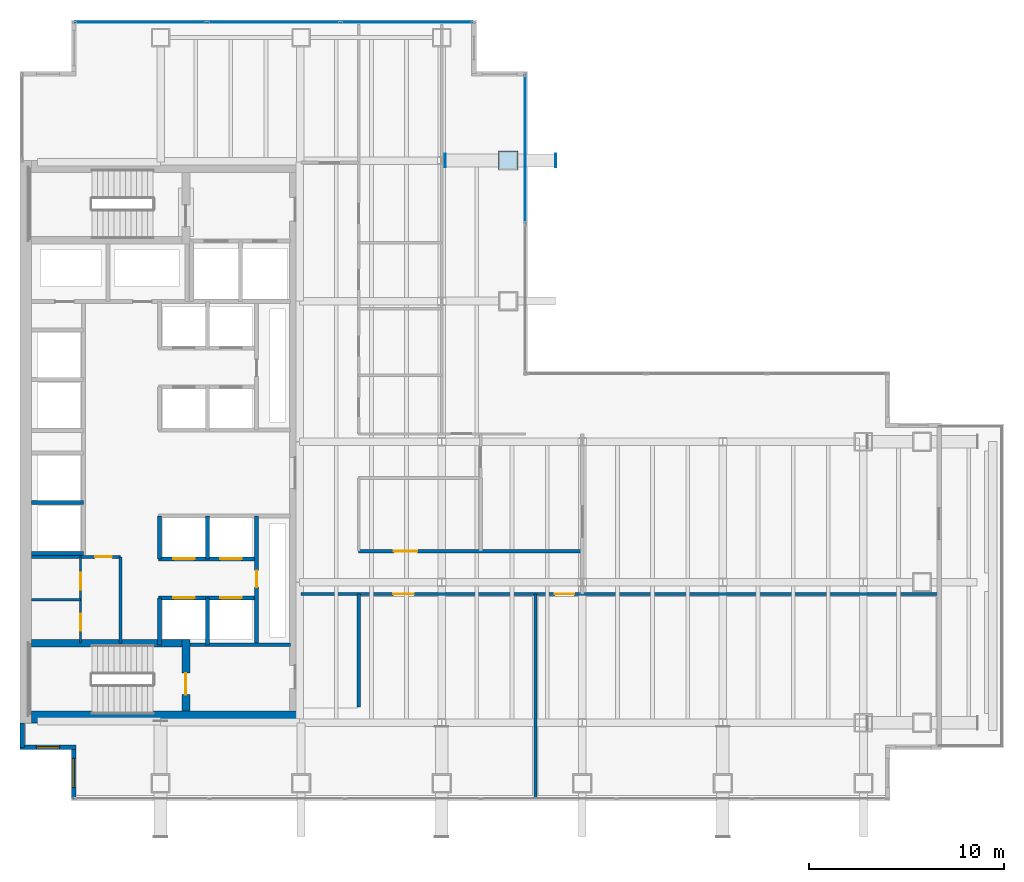
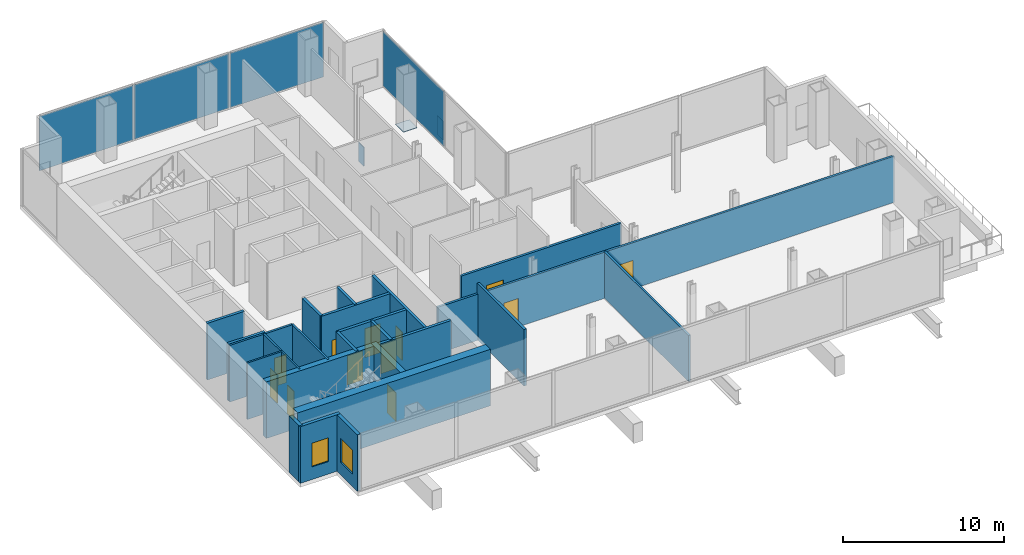
# One storey, part 13 of 16: 24 walls, 12 doors, 7 plates, 2 windows, 14 openings, 2 elements without a shape of their own.
"""IFC4 building model written with IfcOpenShell, lengths in metres."""

from ifc_helpers import new_model, si_unit, direction, frame, frame_2d, origin, origin_2d, place, context, subcontext, project, spatial, rectangle, extrude, material, layer, layer_set, type_object, element, fill, aggregate, save


model = new_model("IFC4")

# Units and contexts
model_context = context("Model", 3, precision=1e-05, world=origin(), true_north=direction((0.0, 1.0)))
body_context = subcontext(model_context, "Body", "Model", "MODEL_VIEW")
ifc_project = project(units=[si_unit("LENGTHUNIT", "METRE"), si_unit("AREAUNIT", "SQUARE_METRE"), si_unit("VOLUMEUNIT", "CUBIC_METRE"), si_unit("PLANEANGLEUNIT", "RADIAN"), si_unit("MASSUNIT", "GRAM", prefix="KILO")], contexts=[model_context])

# Site, building, storey
site_placement = place(None, origin())
site = spatial("IfcSite", under=ifc_project, at=site_placement, CompositionType="ELEMENT")
building_placement = place(site_placement, origin())
building = spatial("IfcBuilding", under=site, at=building_placement, Name="Cobrela Telecom Tower", CompositionType="ELEMENT")
storey_placement = place(building_placement, frame((0.0, 0.0, 97.64990234375)))
storey = spatial("IfcBuildingStorey", under=building, at=storey_placement, Name="L24", CompositionType="ELEMENT", Elevation=97.64990234375)

# Curtain wall, plates
ifc_material_1 = material(Name="Anodized Bronze Aluminium 6063-T6", Category="aluminium")
curtain_wall_type = type_object("IfcCurtainWallType", Name="CW-SYS-SKY", PredefinedType="USERDEFINED", material=ifc_material_1)
curtain_wall_1_placement = place(storey_placement, origin())
curtain_wall_1 = element("IfcCurtainWall", 1, at=curtain_wall_1_placement, inside=storey, type_object=curtain_wall_type, Name="L24 Unitised Bronze Curtain Wall 07", ObjectType="UNITISED CURTAIN WALL", PredefinedType="USERDEFINED")
ifc_material_2 = material(Name="Solar-Control Bronze Low-E Glass", Category="glass")
ifc_layer_1 = layer(ifc_material_2, 0.0400390625)
ifc_layer_set_1 = layer_set([ifc_layer_1], Name="Solar-Control Bronze Low-E Glass")
plate_type_1 = type_object("IfcPlateType", Name="CW-SYS-SKY-PNL", PredefinedType="CURTAIN_PANEL", material=ifc_layer_set_1)
plate_1_placement = place(storey_placement, frame((6.186767578125, 43.080078125, 0.0751953125), z_axis=(0.0, 0.0, 1.0), x_axis=(1.0, 0.0, 0.0)))
plate_1 = element("IfcPlate", 2, at=plate_1_placement, type_object=plate_type_1, Name="CW-SKY panel 1.1", PredefinedType="CURTAIN_PANEL", context=body_context, shape_type="SweptSolid", body=[
    extrude(rectangle(XDim=6.71337890625, YDim=0.0400390625, at=origin_2d()), origin(), (0.0, 0.0, 1.0), 4.1298828125),
])
plate_2_placement = place(storey_placement, frame((13.0, 43.080078125, 0.0751953125), z_axis=(0.0, 0.0, 1.0), x_axis=(1.0, 0.0, 0.0)))
plate_2 = element("IfcPlate", 3, at=plate_2_placement, type_object=plate_type_1, Name="CW-SKY panel 2.1", PredefinedType="CURTAIN_PANEL", context=body_context, shape_type="SweptSolid", body=[
    extrude(rectangle(XDim=6.75341796875, YDim=0.0400390625, at=origin_2d()), origin(), (0.0, 0.0, 1.0), 4.1298828125),
])
plate_3_placement = place(storey_placement, frame((19.813232421875, 43.080078125, 0.0751953125), z_axis=(0.0, 0.0, 1.0), x_axis=(1.0, 0.0, 0.0)))
plate_3 = element("IfcPlate", 4, at=plate_3_placement, type_object=plate_type_1, Name="CW-SKY panel 3.1", PredefinedType="CURTAIN_PANEL", context=body_context, shape_type="SweptSolid", body=[
    extrude(rectangle(XDim=6.71337890625, YDim=0.0400390625, at=origin_2d()), origin(), (0.0, 0.0, 1.0), 4.1298828125),
])
aggregate(curtain_wall_1, [plate_1, plate_2, plate_3])

# Curtain wall, plate
curtain_wall_2_placement = place(storey_placement, origin())
curtain_wall_2 = element("IfcCurtainWall", 5, at=curtain_wall_2_placement, inside=storey, type_object=curtain_wall_type, Name="L24 Unitised Bronze Curtain Wall 10", ObjectType="UNITISED CURTAIN WALL", PredefinedType="USERDEFINED")
plate_4_placement = place(storey_placement, frame((25.8798828125, 36.58740234375, 0.0751953125), z_axis=(0.0, 0.0, 1.0), x_axis=(0.0, -1.0, 0.0)))
plate_4 = element("IfcPlate", 6, at=plate_4_placement, type_object=plate_type_1, Name="CW-SKY panel 1.1", PredefinedType="CURTAIN_PANEL", context=body_context, shape_type="SweptSolid", body=[
    extrude(rectangle(XDim=7.56494140625, YDim=0.0400390625, at=origin_2d()), origin(), (0.0, 0.0, 1.0), 4.1298828125),
])
aggregate(curtain_wall_2, [plate_4])

# Plates
ifc_material_3 = material(Name="Steel ASTM A572 Grade 50", Category="steel")
ifc_layer_2 = layer(ifc_material_3, 0.044921875)
ifc_layer_set_2 = layer_set([ifc_layer_2], Name="Steel ASTM A572 Grade 50")
plate_type_2 = type_object("IfcPlateType", Name="PLT-END-CAP-45", PredefinedType="SHEET", material=ifc_layer_set_2)
plate_5_placement = place(storey_placement, frame((25.0, 36.0, -0.04248046875), z_axis=(0.0, 0.0, 1.0), x_axis=(1.0, 0.0, 0.0)))
element("IfcPlate", 7, at=plate_5_placement, inside=storey, type_object=plate_type_2, Name="L24 Stepped Column Base Cap Plate 63", PredefinedType="SHEET", context=body_context, shape_type="SweptSolid", body=[
    extrude(rectangle(XDim=0.989990234375, YDim=0.989990234375, at=origin_2d()), origin(), (0.0, 0.0, 1.0), 0.044921875),
])
ifc_layer_3 = layer(ifc_material_3, 0.0439453125)
ifc_layer_set_3 = layer_set([ifc_layer_3], Name="Steel ASTM A572 Grade 50")
plate_type_3 = type_object("IfcPlateType", Name="PLT-NODE-ND2", PredefinedType="USERDEFINED", material=ifc_layer_set_3)
for number, where, z_axis, x_axis, name in (
    (8, (21.78955078125, 36.0, -1.719970703125), (0.0, 0.0, 1.0), (1.0, 0.0, 0.0), "Steel node plate PLT-BM-L24-BM-TRG-1400-X-360-218-C0"),
    (9, (27.43994140625, 36.0, -1.719970703125), (0.0, 0.0, 1.0), (1.0, 0.0, 0.0), "Steel node plate PLT-BM-L24-BM-TRG-1400-X-360-218-C1"),
):
    element("IfcPlate", number, at=place(storey_placement, frame(where, z_axis=z_axis, x_axis=x_axis)), inside=storey, type_object=plate_type_3, Name=name, ObjectType="GUSSET PLATE", PredefinedType="USERDEFINED", context=body_context, shape_type="SweptSolid", body=[
        extrude(rectangle(XDim=0.044921875, YDim=0.68994140625, at=origin_2d()), origin(), (0.0, 0.0, 1.0), 1.43994140625),
    ])

# Wall
ifc_material_4 = material(Name="Concrete C50/60", Category="concrete")
ifc_layer_4 = layer(ifc_material_4, 0.60009765625)
ifc_layer_set_4 = layer_set([ifc_layer_4], Name="Concrete C50/60")
wall_type_1 = type_object("IfcWallType", Name="WALL-CORE-C50-600", PredefinedType="SHEAR", material=ifc_layer_set_4)
wall_1_placement = place(storey_placement, frame((0.60009765625, 7.5, 0.0), z_axis=(0.0, 0.0, 1.0), x_axis=(1.0, 0.0, 0.0)))
element("IfcWall", 10, at=wall_1_placement, inside=storey, type_object=wall_type_1, Name="L24 South Core Shear Wall", PredefinedType="SHEAR", context=body_context, shape_type="SweptSolid", body=[
    extrude(rectangle(XDim=13.7998046875, YDim=0.60009765625, at=frame_2d((6.89990234375, 0.0))), origin(), (0.0, 0.0, 1.0), 4.280029296875),
])

# Wall, opening, window
ifc_material_5 = material(Name="Concrete C40/50", Category="concrete")
ifc_layer_5 = layer(ifc_material_5, 0.239990234375)
ifc_layer_set_5 = layer_set([ifc_layer_5], Name="Concrete C40/50")
wall_type_2 = type_object("IfcWallType", Name="WALL-EXT-300", PredefinedType="STANDARD", material=ifc_layer_set_5)
wall_2_placement = place(storey_placement, frame((2.75, 3.320068359375, 0.0), z_axis=(0.0, 0.0, 1.0), x_axis=(0.0, 1.0, 0.0)))
wall_2 = element("IfcWall", 11, at=wall_2_placement, inside=storey, type_object=wall_type_2, Name="L24 Insulated Facade Wall 01", PredefinedType="STANDARD", context=body_context, shape_type="SweptSolid", body=[
    extrude(rectangle(XDim=2.6298828125, YDim=0.239990234375, at=frame_2d((1.31494140625, 0.0))), origin(), (0.0, 0.0, 1.0), 4.280029296875),
])
opening_1_placement = place(wall_2_placement, frame((0.56494140625, 0.0, 0.949951171875)))
opening_1 = element("IfcOpeningElement", 12, at=opening_1_placement, cuts=wall_2, Name="Opening WN-45", PredefinedType="OPENING", context=body_context, shape_type="SweptSolid", body=[
    extrude(rectangle(XDim=1.5, YDim=1.800048828125, at=frame_2d((0.75, 0.89990234375))), frame((0.0, 0.1318359375, 0.0), z_axis=(0.0, -1.0, 0.0), x_axis=(1.0, 0.0, 0.0)), (0.0, 0.0, 1.0), 0.263916015625),
])
window_type_1 = type_object("IfcWindowType", Name="WIN-MOD-1500", PartitioningType="SINGLE_PANEL", PredefinedType="WINDOW", material=ifc_material_2)
window_1_placement = place(opening_1_placement, origin())
window_1 = element("IfcWindow", 13, at=window_1_placement, inside=storey, type_object=window_type_1, Name="L24 Corner Notch Facade Window 110", OverallHeight=1.800048828125, OverallWidth=1.5, PartitioningType="SINGLE_PANEL", PredefinedType="WINDOW", context=body_context, shape_type="SweptSolid", body=[
    extrude(rectangle(XDim=1.5, YDim=1.800048828125, at=frame_2d((0.75, 0.89990234375))), frame((0.0, 0.030029296875, 0.0), z_axis=(0.0, -1.0, 0.0), x_axis=(1.0, 0.0, 0.0)), (0.0, 0.0, 1.0), 0.06005859375),
])
fill(opening_1, window_1)

wall_3_placement = place(storey_placement, frame((2.8701171875, 5.949951171875, 0.0), z_axis=(0.0, 0.0, 1.0), x_axis=(-1.0, 0.0, 0.0)))
wall_3 = element("IfcWall", 14, at=wall_3_placement, inside=storey, type_object=wall_type_2, Name="L24 Insulated Facade Wall 02", PredefinedType="STANDARD", context=body_context, shape_type="SweptSolid", body=[
    extrude(rectangle(XDim=2.8701171875, YDim=0.239990234375, at=frame_2d((1.43505859375, 0.0))), origin(), (0.0, 0.0, 1.0), 4.280029296875),
])
opening_2_placement = place(wall_3_placement, frame((0.8349609375, 0.0, 0.949951171875)))
opening_2 = element("IfcOpeningElement", 15, at=opening_2_placement, cuts=wall_3, Name="Opening WN-19", PredefinedType="OPENING", context=body_context, shape_type="SweptSolid", body=[
    extrude(rectangle(XDim=1.199951171875, YDim=1.800048828125, at=frame_2d((0.60009765625, 0.89990234375))), frame((0.0, 0.1318359375, 0.0), z_axis=(0.0, -1.0, 0.0), x_axis=(1.0, 0.0, 0.0)), (0.0, 0.0, 1.0), 0.263916015625),
])
window_type_2 = type_object("IfcWindowType", Name="WIN-MOD-1200", PartitioningType="SINGLE_PANEL", PredefinedType="WINDOW", material=ifc_material_2)
window_2_placement = place(opening_2_placement, origin())
window_2 = element("IfcWindow", 16, at=window_2_placement, inside=storey, type_object=window_type_2, Name="L24 Corner Notch Facade Window 111", OverallHeight=1.800048828125, OverallWidth=1.199951171875, PartitioningType="SINGLE_PANEL", PredefinedType="WINDOW", context=body_context, shape_type="SweptSolid", body=[
    extrude(rectangle(XDim=1.199951171875, YDim=1.800048828125, at=frame_2d((0.60009765625, 0.89990234375))), frame((0.0, 0.030029296875, 0.0), z_axis=(0.0, -1.0, 0.0), x_axis=(1.0, 0.0, 0.0)), (0.0, 0.0, 1.0), 0.06005859375),
])
fill(opening_2, window_2)

# Walls
wall_4_placement = place(storey_placement, frame((0.1201171875, 5.949951171875, 0.0), z_axis=(0.0, 0.0, 1.0), x_axis=(0.0, 1.0, 0.0)))
element("IfcWall", 17, at=wall_4_placement, inside=storey, type_object=wall_type_2, Name="L24 Insulated Facade Wall 03", PredefinedType="STANDARD", context=body_context, shape_type="SweptSolid", body=[
    extrude(rectangle(XDim=1.25, YDim=0.239990234375, at=frame_2d((0.625, 0.0))), origin(), (0.0, 0.0, 1.0), 4.280029296875),
])
ifc_material_6 = material(Name="Fire-Rated Gypsum Plasterboard")
ifc_layer_6 = layer(ifc_material_6, 0.125)
ifc_layer_set_6 = layer_set([ifc_layer_6], Name="Fire-Rated Gypsum Plasterboard")
wall_type_3 = type_object("IfcWallType", Name="WALL-PART-125", PredefinedType="PARTITIONING", material=ifc_layer_set_6)
wall_5_placement = place(storey_placement, frame((0.60009765625, 13.5, 0.0), z_axis=(0.0, 0.0, 1.0), x_axis=(1.0, 0.0, 0.0)))
element("IfcWall", 18, at=wall_5_placement, inside=storey, type_object=wall_type_3, Name="L24 Interior Partition CW-FK3-H", PredefinedType="PARTITIONING", context=body_context, shape_type="SweptSolid", body=[
    extrude(rectangle(XDim=2.5, YDim=0.125, at=frame_2d((1.25, 0.0))), origin(), (0.0, 0.0, 1.0), 4.280029296875),
])

# Wall, openings, doors
wall_6_placement = place(storey_placement, frame((3.10009765625, 11.280029296875, 0.0), z_axis=(0.0, 0.0, 1.0), x_axis=(0.0, 1.0, 0.0)))
wall_6 = element("IfcWall", 19, at=wall_6_placement, inside=storey, type_object=wall_type_3, Name="L24 Interior Partition CW-FK3-V", PredefinedType="PARTITIONING", context=body_context, shape_type="SweptSolid", body=[
    extrude(rectangle(XDim=4.419921875, YDim=0.125, at=frame_2d((2.2099609375, 0.0))), origin(), (0.0, 0.0, 1.0), 4.280029296875),
])
opening_3_placement = place(wall_6_placement, frame((0.64990234375, 0.0, 0.0)))
opening_3 = element("IfcOpeningElement", 20, at=opening_3_placement, cuts=wall_6, Name="Opening DR-11", PredefinedType="OPENING", context=body_context, shape_type="SweptSolid", body=[
    extrude(rectangle(XDim=0.85009765625, YDim=2.14990234375, at=frame_2d((0.425048828125, 1.074951171875))), frame((0.0, 0.074462890625, 0.0), z_axis=(0.0, -1.0, 0.0), x_axis=(1.0, 0.0, 0.0)), (0.0, 0.0, 1.0), 0.14892578125),
])
opening_4_placement = place(wall_6_placement, frame((2.75, 0.0, 0.0)))
opening_4 = element("IfcOpeningElement", 21, at=opening_4_placement, cuts=wall_6, Name="Opening DR-11", PredefinedType="OPENING", context=body_context, shape_type="SweptSolid", body=[
    extrude(rectangle(XDim=0.85009765625, YDim=2.14990234375, at=frame_2d((0.425048828125, 1.074951171875))), frame((0.0, 0.074462890625, 0.0), z_axis=(0.0, -1.0, 0.0), x_axis=(1.0, 0.0, 0.0)), (0.0, 0.0, 1.0), 0.14892578125),
])
ifc_material_7 = material(Name="Solid Engineered Oak Timber", Category="wood")
door_type_1 = type_object("IfcDoorType", Name="DOOR-INT-850", OperationType="SINGLE_SWING_LEFT", PredefinedType="DOOR", material=ifc_material_7)
door_1_placement = place(opening_3_placement, origin())
door_1 = element("IfcDoor", 22, at=door_1_placement, inside=storey, type_object=door_type_1, Name="L24 Door DR-11", OperationType="SINGLE_SWING_LEFT", OverallHeight=2.14990234375, OverallWidth=0.85009765625, PredefinedType="DOOR", context=body_context, shape_type="SweptSolid", body=[
    extrude(rectangle(XDim=0.85009765625, YDim=2.14990234375, at=frame_2d((0.425048828125, 1.074951171875))), frame((0.0, 0.02490234375, 0.0), z_axis=(0.0, -1.0, 0.0), x_axis=(1.0, 0.0, 0.0)), (0.0, 0.0, 1.0), 0.050048828125),
])
fill(opening_3, door_1)
door_2_placement = place(opening_4_placement, origin())
door_2 = element("IfcDoor", 23, at=door_2_placement, inside=storey, type_object=door_type_1, Name="L24 Door DR-11", OperationType="SINGLE_SWING_RIGHT", OverallHeight=2.14990234375, OverallWidth=0.85009765625, PredefinedType="DOOR", context=body_context, shape_type="SweptSolid", body=[
    extrude(rectangle(XDim=0.85009765625, YDim=2.14990234375, at=frame_2d((0.425048828125, 1.074951171875))), frame((0.0, 0.02490234375, 0.0), z_axis=(0.0, -1.0, 0.0), x_axis=(1.0, 0.0, 0.0)), (0.0, 0.0, 1.0), 0.050048828125),
])
fill(opening_4, door_2)

# Wall
ifc_layer_7 = layer(ifc_material_6, 0.135009765625)
ifc_layer_set_7 = layer_set([ifc_layer_7], Name="Fire-Rated Gypsum Plasterboard")
wall_type_4 = type_object("IfcWallType", Name="WALL-PART-135", PredefinedType="PARTITIONING", material=ifc_layer_set_7)
wall_7_placement = place(storey_placement, frame((5.14990234375, 11.280029296875, 0.0), z_axis=(0.0, 0.0, 1.0), x_axis=(0.0, 1.0, 0.0)))
element("IfcWall", 24, at=wall_7_placement, inside=storey, type_object=wall_type_4, Name="L24 Interior Partition CW-FLEX-E", PredefinedType="PARTITIONING", context=body_context, shape_type="SweptSolid", body=[
    extrude(rectangle(XDim=4.419921875, YDim=0.135009765625, at=frame_2d((2.2099609375, 0.0))), origin(), (0.0, 0.0, 1.0), 4.280029296875),
])

# Wall, opening, door
ifc_layer_8 = layer(ifc_material_6, 0.14990234375)
ifc_layer_set_8 = layer_set([ifc_layer_8], Name="Fire-Rated Gypsum Plasterboard")
wall_type_5 = type_object("IfcWallType", Name="WALL-PART-150", PredefinedType="PARTITIONING", material=ifc_layer_set_8)
wall_8_placement = place(storey_placement, frame((0.60009765625, 15.699951171875, 0.0), z_axis=(0.0, 0.0, 1.0), x_axis=(1.0, 0.0, 0.0)))
wall_8 = element("IfcWall", 25, at=wall_8_placement, inside=storey, type_object=wall_type_5, Name="L24 Interior Partition CW-FLEX-N", PredefinedType="PARTITIONING", context=body_context, shape_type="SweptSolid", body=[
    extrude(rectangle(XDim=4.5498046875, YDim=0.14990234375, at=frame_2d((2.27490234375, 0.0))), origin(), (0.0, 0.0, 1.0), 4.280029296875),
])
opening_5_placement = place(wall_8_placement, frame((3.25, 0.0, 0.0)))
opening_5 = element("IfcOpeningElement", 26, at=opening_5_placement, cuts=wall_8, Name="Opening DR-11", PredefinedType="OPENING", context=body_context, shape_type="SweptSolid", body=[
    extrude(rectangle(XDim=0.85009765625, YDim=2.14990234375, at=frame_2d((0.425048828125, 1.074951171875))), frame((0.0, 0.0869140625, 0.0), z_axis=(0.0, -1.0, 0.0), x_axis=(1.0, 0.0, 0.0)), (0.0, 0.0, 1.0), 0.173828125),
])
door_3_placement = place(opening_5_placement, origin())
door_3 = element("IfcDoor", 27, at=door_3_placement, inside=storey, type_object=door_type_1, Name="L24 Door DR-11", OperationType="SINGLE_SWING_LEFT", OverallHeight=2.14990234375, OverallWidth=0.85009765625, PredefinedType="DOOR", context=body_context, shape_type="SweptSolid", body=[
    extrude(rectangle(XDim=0.85009765625, YDim=2.14990234375, at=frame_2d((0.425048828125, 1.074951171875))), frame((0.0, 0.02490234375, 0.0), z_axis=(0.0, -1.0, 0.0), x_axis=(1.0, 0.0, 0.0)), (0.0, 0.0, 1.0), 0.050048828125),
])
fill(opening_5, door_3)

# Wall
wall_9_placement = place(storey_placement, frame((26.39990234375, 3.320068359375, 0.0), z_axis=(0.0, 0.0, 1.0), x_axis=(0.0, 1.0, 0.0)))
element("IfcWall", 28, at=wall_9_placement, inside=storey, type_object=wall_type_5, Name="L24 Interior Partition W-SKY-V2", PredefinedType="PARTITIONING", context=body_context, shape_type="SweptSolid", body=[
    extrude(rectangle(XDim=10.47998046875, YDim=0.14990234375, at=frame_2d((5.239990234375, 0.0))), origin(), (0.0, 0.0, 1.0), 3.4931640625),
])

# Wall, openings, doors
ifc_layer_9 = layer(ifc_material_6, 0.159912109375)
ifc_layer_set_9 = layer_set([ifc_layer_9], Name="Fire-Rated Gypsum Plasterboard")
wall_type_6 = type_object("IfcWallType", Name="WALL-PART-160", PredefinedType="PARTITIONING", material=ifc_layer_set_9)
wall_10_placement = place(storey_placement, frame((14.39990234375, 13.800048828125, 0.0), z_axis=(0.0, 0.0, 1.0), x_axis=(1.0, 0.0, 0.0)))
wall_10 = element("IfcWall", 29, at=wall_10_placement, inside=storey, type_object=wall_type_6, Name="L24 Interior Partition W-SKY-H2", PredefinedType="PARTITIONING", context=body_context, shape_type="SweptSolid", body=[
    extrude(rectangle(XDim=32.68017578125, YDim=0.159912109375, at=frame_2d((16.340087890625, 0.0))), origin(), (0.0, 0.0, 1.0), 3.4931640625),
])
opening_6_placement = place(wall_10_placement, frame((4.719970703125, 0.0, 0.0)))
opening_6 = element("IfcOpeningElement", 30, at=opening_6_placement, cuts=wall_10, Name="Opening DR-29", PredefinedType="OPENING", context=body_context, shape_type="SweptSolid", body=[
    extrude(rectangle(XDim=1.050048828125, YDim=2.14990234375, at=frame_2d((0.52490234375, 1.074951171875))), frame((0.0, 0.091796875, 0.0), z_axis=(0.0, -1.0, 0.0), x_axis=(1.0, 0.0, 0.0)), (0.0, 0.0, 1.0), 0.183837890625),
])
opening_7_placement = place(wall_10_placement, frame((13.0, 0.0, 0.0)))
opening_7 = element("IfcOpeningElement", 31, at=opening_7_placement, cuts=wall_10, Name="Opening DR-17", PredefinedType="OPENING", context=body_context, shape_type="SweptSolid", body=[
    extrude(rectangle(XDim=0.97998046875, YDim=2.14990234375, at=frame_2d((0.489990234375, 1.074951171875))), frame((0.0, 0.091796875, 0.0), z_axis=(0.0, -1.0, 0.0), x_axis=(1.0, 0.0, 0.0)), (0.0, 0.0, 1.0), 0.183837890625),
])
door_type_2 = type_object("IfcDoorType", Name="DOOR-INT-1050", OperationType="SINGLE_SWING_LEFT", PredefinedType="DOOR", material=ifc_material_7)
door_4_placement = place(opening_6_placement, origin())
door_4 = element("IfcDoor", 32, at=door_4_placement, inside=storey, type_object=door_type_2, Name="L24 Door DR-29", OperationType="SINGLE_SWING_RIGHT", OverallHeight=2.14990234375, OverallWidth=1.050048828125, PredefinedType="DOOR", context=body_context, shape_type="SweptSolid", body=[
    extrude(rectangle(XDim=1.050048828125, YDim=2.14990234375, at=frame_2d((0.52490234375, 1.074951171875))), frame((0.0, 0.02490234375, 0.0), z_axis=(0.0, -1.0, 0.0), x_axis=(1.0, 0.0, 0.0)), (0.0, 0.0, 1.0), 0.050048828125),
])
fill(opening_6, door_4)
door_type_3 = type_object("IfcDoorType", Name="DOOR-INT-980", OperationType="SINGLE_SWING_LEFT", PredefinedType="DOOR", material=ifc_material_7)
door_5_placement = place(opening_7_placement, origin())
door_5 = element("IfcDoor", 33, at=door_5_placement, inside=storey, type_object=door_type_3, Name="L24 Door DR-17", OperationType="SINGLE_SWING_LEFT", OverallHeight=2.14990234375, OverallWidth=0.97998046875, PredefinedType="DOOR", context=body_context, shape_type="SweptSolid", body=[
    extrude(rectangle(XDim=0.97998046875, YDim=2.14990234375, at=frame_2d((0.489990234375, 1.074951171875))), frame((0.0, 0.02490234375, 0.0), z_axis=(0.0, -1.0, 0.0), x_axis=(1.0, 0.0, 0.0)), (0.0, 0.0, 1.0), 0.050048828125),
])
fill(opening_7, door_5)

# Wall
ifc_layer_10 = layer(ifc_material_6, 0.175048828125)
ifc_layer_set_10 = layer_set([ifc_layer_10], Name="Fire-Rated Gypsum Plasterboard")
wall_type_7 = type_object("IfcWallType", Name="WALL-PART-175", PredefinedType="PARTITIONING", material=ifc_layer_set_10)
wall_11_placement = place(storey_placement, frame((17.35009765625, 8.0, 0.0), z_axis=(0.0, 0.0, 1.0), x_axis=(0.0, 1.0, 0.0)))
element("IfcWall", 34, at=wall_11_placement, inside=storey, type_object=wall_type_7, Name="L24 Interior Partition W-SKY-LOBE", PredefinedType="PARTITIONING", context=body_context, shape_type="SweptSolid", body=[
    extrude(rectangle(XDim=5.800048828125, YDim=0.175048828125, at=frame_2d((2.89990234375, 0.0))), origin(), (0.0, 0.0, 1.0), 4.280029296875),
])

# Wall, opening, door
wall_12_placement = place(storey_placement, frame((17.35009765625, 16.0, 0.0), z_axis=(0.0, 0.0, 1.0), x_axis=(1.0, 0.0, 0.0)))
wall_12 = element("IfcWall", 35, at=wall_12_placement, inside=storey, type_object=wall_type_7, Name="L24 Interior Partition W-SKY-LOBN", PredefinedType="PARTITIONING", context=body_context, shape_type="SweptSolid", body=[
    extrude(rectangle(XDim=11.449951171875, YDim=0.175048828125, at=frame_2d((5.72509765625, 0.0))), origin(), (0.0, 0.0, 1.0), 3.4931640625),
])
opening_8_placement = place(wall_12_placement, frame((1.800048828125, 0.0, 0.0)))
opening_8 = element("IfcOpeningElement", 36, at=opening_8_placement, cuts=wall_12, Name="Opening DR-13", PredefinedType="OPENING", context=body_context, shape_type="SweptSolid", body=[
    extrude(rectangle(XDim=1.199951171875, YDim=2.14990234375, at=frame_2d((0.60009765625, 1.074951171875))), frame((0.0, 0.099609375, 0.0), z_axis=(0.0, -1.0, 0.0), x_axis=(1.0, 0.0, 0.0)), (0.0, 0.0, 1.0), 0.198974609375),
])
door_type_4 = type_object("IfcDoorType", Name="DOOR-INT-1200", OperationType="SINGLE_SWING_LEFT", PredefinedType="DOOR", material=ifc_material_1)
door_6_placement = place(opening_8_placement, origin())
door_6 = element("IfcDoor", 37, at=door_6_placement, inside=storey, type_object=door_type_4, Name="L24 Door DR-13", OperationType="SINGLE_SWING_LEFT", OverallHeight=2.14990234375, OverallWidth=1.199951171875, PredefinedType="DOOR", context=body_context, shape_type="SweptSolid", body=[
    extrude(rectangle(XDim=1.199951171875, YDim=2.14990234375, at=frame_2d((0.60009765625, 1.074951171875))), frame((0.0, 0.02490234375, 0.0), z_axis=(0.0, -1.0, 0.0), x_axis=(1.0, 0.0, 0.0)), (0.0, 0.0, 1.0), 0.050048828125),
])
fill(opening_8, door_6)

# Walls
ifc_layer_11 = layer(ifc_material_6, 0.199951171875)
ifc_layer_set_11 = layer_set([ifc_layer_11], Name="Fire-Rated Gypsum Plasterboard")
wall_type_8 = type_object("IfcWallType", Name="WALL-SHAFT-200", PredefinedType="PARTITIONING", material=ifc_layer_set_11)
wall_13_placement = place(storey_placement, frame((8.699951171875, 11.199951171875, 0.0), z_axis=(0.0, 0.0, 1.0), x_axis=(1.0, 0.0, 0.0)))
element("IfcWall", 38, at=wall_13_placement, inside=storey, type_object=wall_type_8, Name="L24 Shaft Enclosure CW-ST2L-N", PredefinedType="PARTITIONING", context=body_context, shape_type="SweptSolid", body=[
    extrude(rectangle(XDim=5.150146484375, YDim=0.199951171875, at=frame_2d((2.5751953125, 0.0))), origin(), (0.0, 0.0, 1.0), 4.280029296875),
])
for number, where, z_axis, x_axis, name in (
    (39, (0.60009765625, 15.8798828125, 0.0), (0.0, 0.0, 1.0), (1.0, 0.0, 0.0), "L24 Shaft Enclosure CW-PLH-D9"),
    (40, (0.60009765625, 18.47998046875, 0.0), (0.0, 0.0, 1.0), (1.0, 0.0, 0.0), "L24 Shaft Enclosure CW-PLH-D10"),
):
    element("IfcWall", number, at=place(storey_placement, frame(where, z_axis=z_axis, x_axis=x_axis)), inside=storey, type_object=wall_type_8, Name=name, PredefinedType="PARTITIONING", context=body_context, shape_type="SweptSolid", body=[
        extrude(rectangle(XDim=2.64990234375, YDim=0.199951171875, at=frame_2d((1.324951171875, 0.0))), origin(), (0.0, 0.0, 1.0), 4.280029296875),
    ])

# Wall, openings, doors
wall_14_placement = place(storey_placement, frame((7.10009765625, 15.60009765625, 0.0), z_axis=(0.0, 0.0, 1.0), x_axis=(1.0, 0.0, 0.0)))
wall_14 = element("IfcWall", 41, at=wall_14_placement, inside=storey, type_object=wall_type_8, Name="L24 Shaft Enclosure CW-PLM-N", PredefinedType="PARTITIONING", context=body_context, shape_type="SweptSolid", body=[
    extrude(rectangle(XDim=5.02001953125, YDim=0.199951171875, at=frame_2d((2.510009765625, 0.0))), origin(), (0.0, 0.0, 1.0), 4.280029296875),
])
opening_9_placement = place(wall_14_placement, frame((0.75, 0.0, 0.0)))
opening_9 = element("IfcOpeningElement", 42, at=opening_9_placement, cuts=wall_14, Name="Opening LD-1", PredefinedType="OPENING", context=body_context, shape_type="SweptSolid", body=[
    extrude(rectangle(XDim=1.10009765625, YDim=2.199951171875, at=frame_2d((0.550048828125, 1.10009765625))), frame((0.0, 0.11181640625, 0.0), z_axis=(0.0, -1.0, 0.0), x_axis=(1.0, 0.0, 0.0)), (0.0, 0.0, 1.0), 0.223876953125),
])
opening_10_placement = place(wall_14_placement, frame((3.14990234375, 0.0, 0.0)))
opening_10 = element("IfcOpeningElement", 43, at=opening_10_placement, cuts=wall_14, Name="Opening LD-1", PredefinedType="OPENING", context=body_context, shape_type="SweptSolid", body=[
    extrude(rectangle(XDim=1.10009765625, YDim=2.199951171875, at=frame_2d((0.550048828125, 1.10009765625))), frame((0.0, 0.11181640625, 0.0), z_axis=(0.0, -1.0, 0.0), x_axis=(1.0, 0.0, 0.0)), (0.0, 0.0, 1.0), 0.223876953125),
])
ifc_material_8 = material(Name="Steel ASTM A36", Category="steel")
door_type_5 = type_object("IfcDoorType", Name="DOOR-LD-PL", OperationType="SINGLE_SWING_LEFT", PredefinedType="DOOR", material=ifc_material_8)
door_7_placement = place(opening_9_placement, origin())
door_7 = element("IfcDoor", 44, at=door_7_placement, inside=storey, type_object=door_type_5, Name="L24 Lift Landing Door LD-1", OperationType="DOUBLE_DOOR_SLIDING", OverallHeight=2.199951171875, OverallWidth=1.10009765625, PredefinedType="DOOR", context=body_context, shape_type="SweptSolid", body=[
    extrude(rectangle(XDim=1.10009765625, YDim=2.199951171875, at=frame_2d((0.550048828125, 1.10009765625))), frame((0.0, 0.02490234375, 0.0), z_axis=(0.0, -1.0, 0.0), x_axis=(1.0, 0.0, 0.0)), (0.0, 0.0, 1.0), 0.050048828125),
])
fill(opening_9, door_7)
door_8_placement = place(opening_10_placement, origin())
door_8 = element("IfcDoor", 45, at=door_8_placement, inside=storey, type_object=door_type_5, Name="L24 Lift Landing Door LD-1", OperationType="DOUBLE_DOOR_SLIDING", OverallHeight=2.199951171875, OverallWidth=1.10009765625, PredefinedType="DOOR", context=body_context, shape_type="SweptSolid", body=[
    extrude(rectangle(XDim=1.10009765625, YDim=2.199951171875, at=frame_2d((0.550048828125, 1.10009765625))), frame((0.0, 0.02490234375, 0.0), z_axis=(0.0, -1.0, 0.0), x_axis=(1.0, 0.0, 0.0)), (0.0, 0.0, 1.0), 0.050048828125),
])
fill(opening_10, door_8)

wall_15_placement = place(storey_placement, frame((7.10009765625, 13.60009765625, 0.0), z_axis=(0.0, 0.0, 1.0), x_axis=(1.0, 0.0, 0.0)))
wall_15 = element("IfcWall", 46, at=wall_15_placement, inside=storey, type_object=wall_type_8, Name="L24 Shaft Enclosure CW-PLM-S", PredefinedType="PARTITIONING", context=body_context, shape_type="SweptSolid", body=[
    extrude(rectangle(XDim=5.02001953125, YDim=0.199951171875, at=frame_2d((2.510009765625, 0.0))), origin(), (0.0, 0.0, 1.0), 4.280029296875),
])
opening_11_placement = place(wall_15_placement, frame((0.75, 0.0, 0.0)))
opening_11 = element("IfcOpeningElement", 47, at=opening_11_placement, cuts=wall_15, Name="Opening LD-1", PredefinedType="OPENING", context=body_context, shape_type="SweptSolid", body=[
    extrude(rectangle(XDim=1.10009765625, YDim=2.199951171875, at=frame_2d((0.550048828125, 1.10009765625))), frame((0.0, 0.11181640625, 0.0), z_axis=(0.0, -1.0, 0.0), x_axis=(1.0, 0.0, 0.0)), (0.0, 0.0, 1.0), 0.223876953125),
])
opening_12_placement = place(wall_15_placement, frame((3.14990234375, 0.0, 0.0)))
opening_12 = element("IfcOpeningElement", 48, at=opening_12_placement, cuts=wall_15, Name="Opening LD-1", PredefinedType="OPENING", context=body_context, shape_type="SweptSolid", body=[
    extrude(rectangle(XDim=1.10009765625, YDim=2.199951171875, at=frame_2d((0.550048828125, 1.10009765625))), frame((0.0, 0.11181640625, 0.0), z_axis=(0.0, -1.0, 0.0), x_axis=(1.0, 0.0, 0.0)), (0.0, 0.0, 1.0), 0.223876953125),
])
door_9_placement = place(opening_11_placement, origin())
door_9 = element("IfcDoor", 49, at=door_9_placement, inside=storey, type_object=door_type_5, Name="L24 Lift Landing Door LD-1", OperationType="DOUBLE_DOOR_SLIDING", OverallHeight=2.199951171875, OverallWidth=1.10009765625, PredefinedType="DOOR", context=body_context, shape_type="SweptSolid", body=[
    extrude(rectangle(XDim=1.10009765625, YDim=2.199951171875, at=frame_2d((0.550048828125, 1.10009765625))), frame((0.0, 0.02490234375, 0.0), z_axis=(0.0, -1.0, 0.0), x_axis=(1.0, 0.0, 0.0)), (0.0, 0.0, 1.0), 0.050048828125),
])
fill(opening_11, door_9)
door_10_placement = place(opening_12_placement, origin())
door_10 = element("IfcDoor", 50, at=door_10_placement, inside=storey, type_object=door_type_5, Name="L24 Lift Landing Door LD-1", OperationType="DOUBLE_DOOR_SLIDING", OverallHeight=2.199951171875, OverallWidth=1.10009765625, PredefinedType="DOOR", context=body_context, shape_type="SweptSolid", body=[
    extrude(rectangle(XDim=1.10009765625, YDim=2.199951171875, at=frame_2d((0.550048828125, 1.10009765625))), frame((0.0, 0.02490234375, 0.0), z_axis=(0.0, -1.0, 0.0), x_axis=(1.0, 0.0, 0.0)), (0.0, 0.0, 1.0), 0.050048828125),
])
fill(opening_12, door_10)

# Walls
wall_16_placement = place(storey_placement, frame((7.14990234375, 15.60009765625, 0.0), z_axis=(0.0, 0.0, 1.0), x_axis=(0.0, 1.0, 0.0)))
element("IfcWall", 51, at=wall_16_placement, inside=storey, type_object=wall_type_8, Name="L24 Shaft Enclosure CW-PLM-V1", PredefinedType="PARTITIONING", context=body_context, shape_type="SweptSolid", body=[
    extrude(rectangle(XDim=2.199951171875, YDim=0.199951171875, at=frame_2d((1.10009765625, 0.0))), origin(), (0.0, 0.0, 1.0), 4.280029296875),
])
wall_17_placement = place(storey_placement, frame((7.14990234375, 11.199951171875, 0.0), z_axis=(0.0, 0.0, 1.0), x_axis=(0.0, 1.0, 0.0)))
element("IfcWall", 52, at=wall_17_placement, inside=storey, type_object=wall_type_8, Name="L24 Shaft Enclosure CW-PLM-V1B", PredefinedType="PARTITIONING", context=body_context, shape_type="SweptSolid", body=[
    extrude(rectangle(XDim=2.400146484375, YDim=0.199951171875, at=frame_2d((1.2001953125, 0.0))), origin(), (0.0, 0.0, 1.0), 4.280029296875),
])
wall_18_placement = place(storey_placement, frame((9.60009765625, 15.60009765625, 0.0), z_axis=(0.0, 0.0, 1.0), x_axis=(0.0, 1.0, 0.0)))
element("IfcWall", 53, at=wall_18_placement, inside=storey, type_object=wall_type_8, Name="L24 Shaft Enclosure CW-PLM-V2", PredefinedType="PARTITIONING", context=body_context, shape_type="SweptSolid", body=[
    extrude(rectangle(XDim=2.199951171875, YDim=0.199951171875, at=frame_2d((1.10009765625, 0.0))), origin(), (0.0, 0.0, 1.0), 4.280029296875),
])
wall_19_placement = place(storey_placement, frame((9.60009765625, 11.199951171875, 0.0), z_axis=(0.0, 0.0, 1.0), x_axis=(0.0, 1.0, 0.0)))
element("IfcWall", 54, at=wall_19_placement, inside=storey, type_object=wall_type_8, Name="L24 Shaft Enclosure CW-PLM-V2B", PredefinedType="PARTITIONING", context=body_context, shape_type="SweptSolid", body=[
    extrude(rectangle(XDim=2.400146484375, YDim=0.199951171875, at=frame_2d((1.2001953125, 0.0))), origin(), (0.0, 0.0, 1.0), 4.280029296875),
])

# Wall, opening, door
wall_20_placement = place(storey_placement, frame((12.1201171875, 11.199951171875, 0.0), z_axis=(0.0, 0.0, 1.0), x_axis=(0.0, 1.0, 0.0)))
wall_20 = element("IfcWall", 55, at=wall_20_placement, inside=storey, type_object=wall_type_8, Name="L24 Shaft Enclosure CW-PLM-V3", PredefinedType="PARTITIONING", context=body_context, shape_type="SweptSolid", body=[
    extrude(rectangle(XDim=6.60009765625, YDim=0.199951171875, at=frame_2d((3.300048828125, 0.0))), origin(), (0.0, 0.0, 1.0), 4.280029296875),
])
opening_13_placement = place(wall_20_placement, frame((2.949951171875, 0.0, 0.0)))
opening_13 = element("IfcOpeningElement", 56, at=opening_13_placement, cuts=wall_20, Name="Opening DR-11", PredefinedType="OPENING", context=body_context, shape_type="SweptSolid", body=[
    extrude(rectangle(XDim=0.85009765625, YDim=2.14990234375, at=frame_2d((0.425048828125, 1.074951171875))), frame((0.0, 0.11181640625, 0.0), z_axis=(0.0, -1.0, 0.0), x_axis=(1.0, 0.0, 0.0)), (0.0, 0.0, 1.0), 0.223876953125),
])
door_11_placement = place(opening_13_placement, origin())
door_11 = element("IfcDoor", 57, at=door_11_placement, inside=storey, type_object=door_type_1, Name="L24 Door DR-11", OperationType="SINGLE_SWING_RIGHT", OverallHeight=2.14990234375, OverallWidth=0.85009765625, PredefinedType="DOOR", context=body_context, shape_type="SweptSolid", body=[
    extrude(rectangle(XDim=0.85009765625, YDim=2.14990234375, at=frame_2d((0.425048828125, 1.074951171875))), frame((0.0, 0.02490234375, 0.0), z_axis=(0.0, -1.0, 0.0), x_axis=(1.0, 0.0, 0.0)), (0.0, 0.0, 1.0), 0.050048828125),
])
fill(opening_13, door_11)

# Wall
ifc_layer_12 = layer(ifc_material_5, 0.39990234375)
ifc_layer_set_12 = layer_set([ifc_layer_12], Name="Concrete C40/50")
wall_type_9 = type_object("IfcWallType", Name="WALL-SHAFT-C40-400", PredefinedType="SHEAR", material=ifc_layer_set_12)
wall_21_placement = place(storey_placement, frame((0.60009765625, 11.280029296875, 0.0), z_axis=(0.0, 0.0, 1.0), x_axis=(1.0, 0.0, 0.0)))
element("IfcWall", 58, at=wall_21_placement, inside=storey, type_object=wall_type_9, Name="L24 South Stair Shear Wall", PredefinedType="SHEAR", context=body_context, shape_type="SweptSolid", body=[
    extrude(rectangle(XDim=7.699951171875, YDim=0.39990234375, at=frame_2d((3.85009765625, 0.0))), origin(), (0.0, 0.0, 1.0), 4.280029296875),
])

# Wall, opening, door
wall_22_placement = place(storey_placement, frame((8.5, 7.800048828125, 0.0), z_axis=(0.0, 0.0, 1.0), x_axis=(0.0, 1.0, 0.0)))
wall_22 = element("IfcWall", 59, at=wall_22_placement, inside=storey, type_object=wall_type_9, Name="L24 South Stair Lobby Shear Wall", PredefinedType="SHEAR", context=body_context, shape_type="SweptSolid", body=[
    extrude(rectangle(XDim=3.679931640625, YDim=0.39990234375, at=frame_2d((1.83984375, 0.0))), origin(), (0.0, 0.0, 1.0), 4.280029296875),
])
opening_14_placement = place(wall_22_placement, frame((0.85009765625, 0.0, 0.0)))
opening_14 = element("IfcOpeningElement", 60, at=opening_14_placement, cuts=wall_22, Name="Opening FD-90", PredefinedType="OPENING", context=body_context, shape_type="SweptSolid", body=[
    extrude(rectangle(XDim=1.10009765625, YDim=2.14990234375, at=frame_2d((0.550048828125, 1.074951171875))), frame((0.0, 0.2119140625, 0.0), z_axis=(0.0, -1.0, 0.0), x_axis=(1.0, 0.0, 0.0)), (0.0, 0.0, 1.0), 0.423828125),
])
door_type_6 = type_object("IfcDoorType", Name="DOOR-FD90-1100", OperationType="SINGLE_SWING_LEFT", PredefinedType="DOOR", material=ifc_material_8)
door_12_placement = place(opening_14_placement, origin())
door_12 = element("IfcDoor", 61, at=door_12_placement, inside=storey, type_object=door_type_6, Name="L24 Door FD-90", OperationType="SINGLE_SWING_LEFT", OverallHeight=2.14990234375, OverallWidth=1.10009765625, PredefinedType="DOOR", context=body_context, shape_type="SweptSolid", body=[
    extrude(rectangle(XDim=1.10009765625, YDim=2.14990234375, at=frame_2d((0.550048828125, 1.074951171875))), frame((0.0, 0.02490234375, 0.0), z_axis=(0.0, -1.0, 0.0), x_axis=(1.0, 0.0, 0.0)), (0.0, 0.0, 1.0), 0.050048828125),
])
fill(opening_14, door_12)

save(model, "model.ifc")
